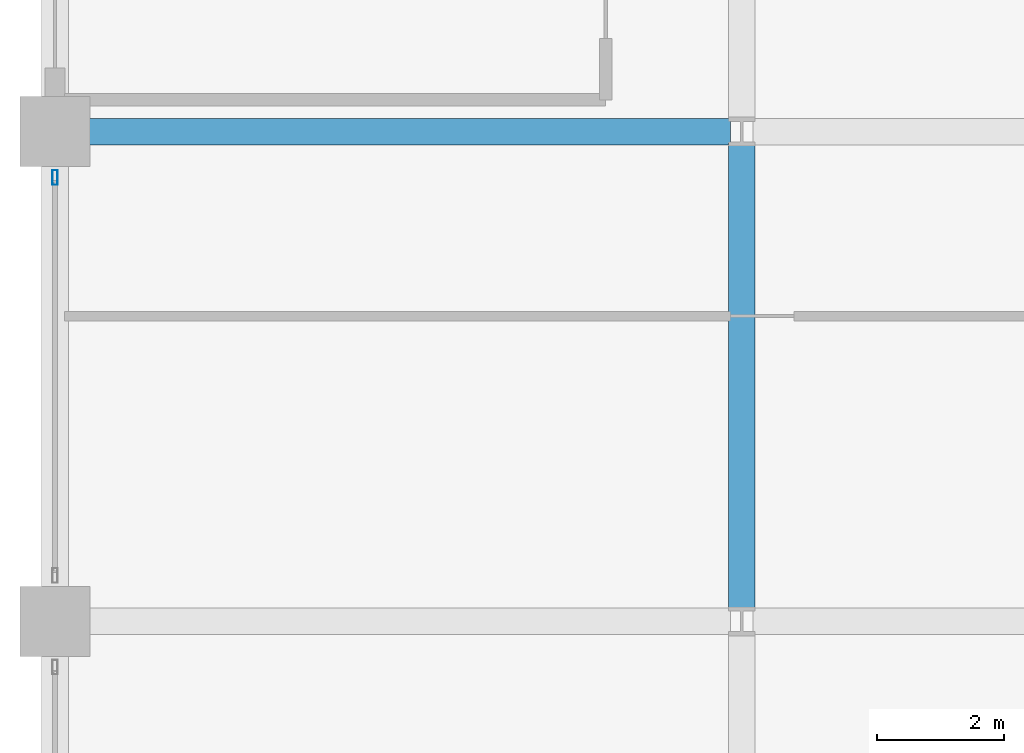
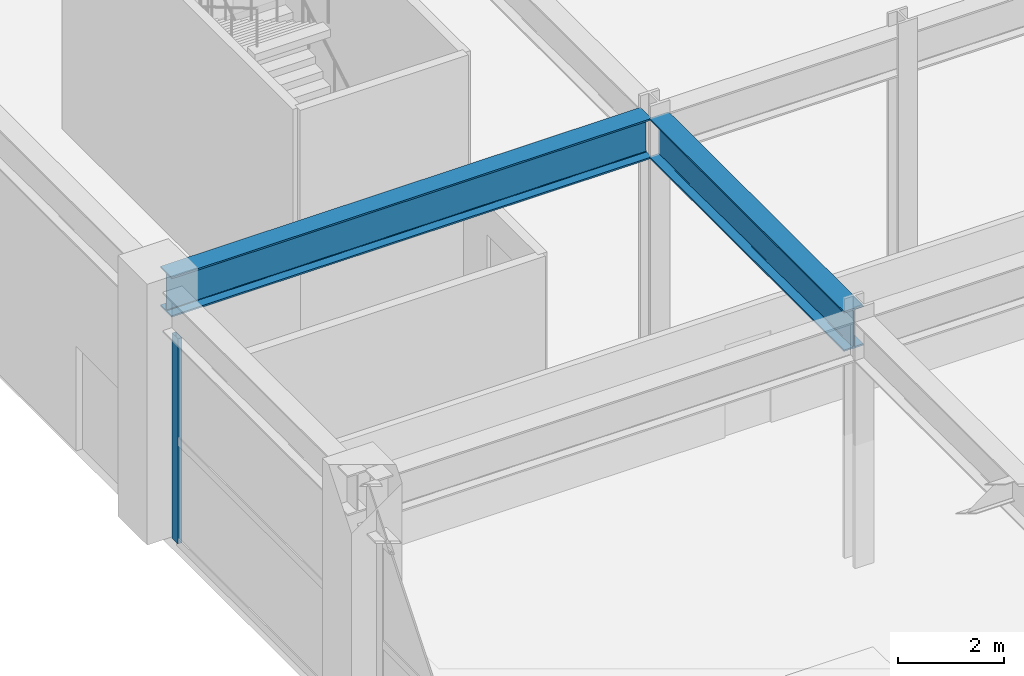
# One storey, part 9 of 41: 2 beams, 1 member, 1 element without a shape of its own.
"""IFC4 building model written with IfcOpenShell, lengths in metres."""

from ifc_helpers import new_model, si_unit, direction, frame, origin, origin_2d, place, context, subcontext, project, spatial, hollow_rectangle, i_section, extrude, material, material_profile, profile_set, type_object, element, aggregate, save


model = new_model("IFC4")

# Units and contexts
model_context = context("Model", 3, precision=1e-05, world=origin(), true_north=direction((0.0, 1.0)))
body_context = subcontext(model_context, "Body", "Model", "MODEL_VIEW")
ifc_project = project(units=[si_unit("LENGTHUNIT", "METRE"), si_unit("AREAUNIT", "SQUARE_METRE"), si_unit("VOLUMEUNIT", "CUBIC_METRE"), si_unit("PLANEANGLEUNIT", "RADIAN"), si_unit("MASSUNIT", "GRAM", prefix="KILO")], contexts=[model_context])

# Site, building, storey
site_placement = place(None, origin())
site = spatial("IfcSite", under=ifc_project, at=site_placement, CompositionType="ELEMENT")
building_placement = place(site_placement, origin())
building = spatial("IfcBuilding", under=site, at=building_placement, Name="Kovane Verandah Tower", CompositionType="ELEMENT")
storey_placement = place(building_placement, origin())
storey = spatial("IfcBuildingStorey", under=building, at=storey_placement, Name="L00", CompositionType="ELEMENT", Elevation=0.0)

# Beams
ifc_material_1 = material(Name="Steel S460", Category="steel")
ifc_material_profile_1 = material_profile(ifc_material_1, i_section(OverallWidth=0.42041015625, OverallDepth=0.9208984375, WebThickness=0.021484375, FlangeThickness=0.03662109375, FilletRadius=0.024169921875, at=origin_2d()), Name="UB914x419x388")
ifc_profile_set_1 = profile_set([ifc_material_profile_1], Name="Steel S460")
beam_type = type_object("IfcBeamType", Name="BM-UB914x388", PredefinedType="BEAM", material=ifc_profile_set_1)
beam_1_placement = place(storey_placement, frame((-1.820068359375, 18.5, 5.239501953125), z_axis=(1.0, 0.0, 0.0), x_axis=(0.0, 1.0, 0.0)))
element("IfcBeam", 1, at=beam_1_placement, inside=storey, type_object=beam_type, Name="L00 Podium Grid Girder X12", PredefinedType="BEAM", context=body_context, shape_type="SweptSolid", body=[
    extrude(i_section(OverallWidth=0.42041015625, OverallDepth=0.9208984375, WebThickness=0.021484375, FlangeThickness=0.03662109375, FilletRadius=0.024169921875, at=origin_2d()), origin(), (0.0, 0.0, 1.0), 10.440185546875),
])
beam_2_placement = place(storey_placement, frame((8.800048828125, 10.97998046875, 5.239501953125), z_axis=(0.0, 1.0, 0.0), x_axis=(-1.0, 0.0, 0.0)))
element("IfcBeam", 2, at=beam_2_placement, inside=storey, type_object=beam_type, Name="L00 Podium Grid Girder Y37", PredefinedType="BEAM", context=body_context, shape_type="SweptSolid", body=[
    extrude(i_section(OverallWidth=0.42041015625, OverallDepth=0.9208984375, WebThickness=0.021484375, FlangeThickness=0.03662109375, FilletRadius=0.024169921875, at=origin_2d()), origin(), (0.0, 0.0, 1.0), 7.340087890625),
])

# Curtain wall, member
ifc_material_2 = material(Name="Champagne Anodised Aluminium Frame with Low-E Clear Laminated Glass", Category="aluminium")
curtain_wall_type = type_object("IfcCurtainWallType", Name="CW-SYS-01-POD", PredefinedType="NOTDEFINED", material=ifc_material_2)
curtain_wall_placement = place(storey_placement, origin())
curtain_wall = element("IfcCurtainWall", 3, at=curtain_wall_placement, inside=storey, type_object=curtain_wall_type, Name="Ground West Shopfront Curtain Wall Bay 2", PredefinedType="NOTDEFINED")
ifc_material_3 = material(Name="Champagne Anodised Aluminium 6063-T6", Category="aluminium")
ifc_material_profile_2 = material_profile(ifc_material_3, hollow_rectangle(XDim=0.0849609375, YDim=0.22998046875, WallThickness=0.00390625, at=origin_2d()), Name="AL85x230x4")
ifc_profile_set_2 = profile_set([ifc_material_profile_2], Name="Champagne Anodised Aluminium 6063-T6")
member_type = type_object("IfcMemberType", Name="CW-MUL-85x230", PredefinedType="MULLION", material=ifc_profile_set_2)
member_placement = place(storey_placement, frame((-2.0, 17.780029296875, 0.02001953125), z_axis=(0.0, 0.0, 1.0), x_axis=(-1.0, 0.0, 0.0)))
member = element("IfcMember", 4, at=member_placement, type_object=member_type, Name="Ground West Shopfront Curtain Wall Bay 2 Mullion 1", PredefinedType="MULLION", context=body_context, shape_type="SweptSolid", body=[
    extrude(hollow_rectangle(XDim=0.0849609375, YDim=0.22998046875, WallThickness=0.00390625, at=origin_2d()), origin(), (0.0, 0.0, 1.0), 4.718994140625),
])
aggregate(curtain_wall, [member])

save(model, "model.ifc")
